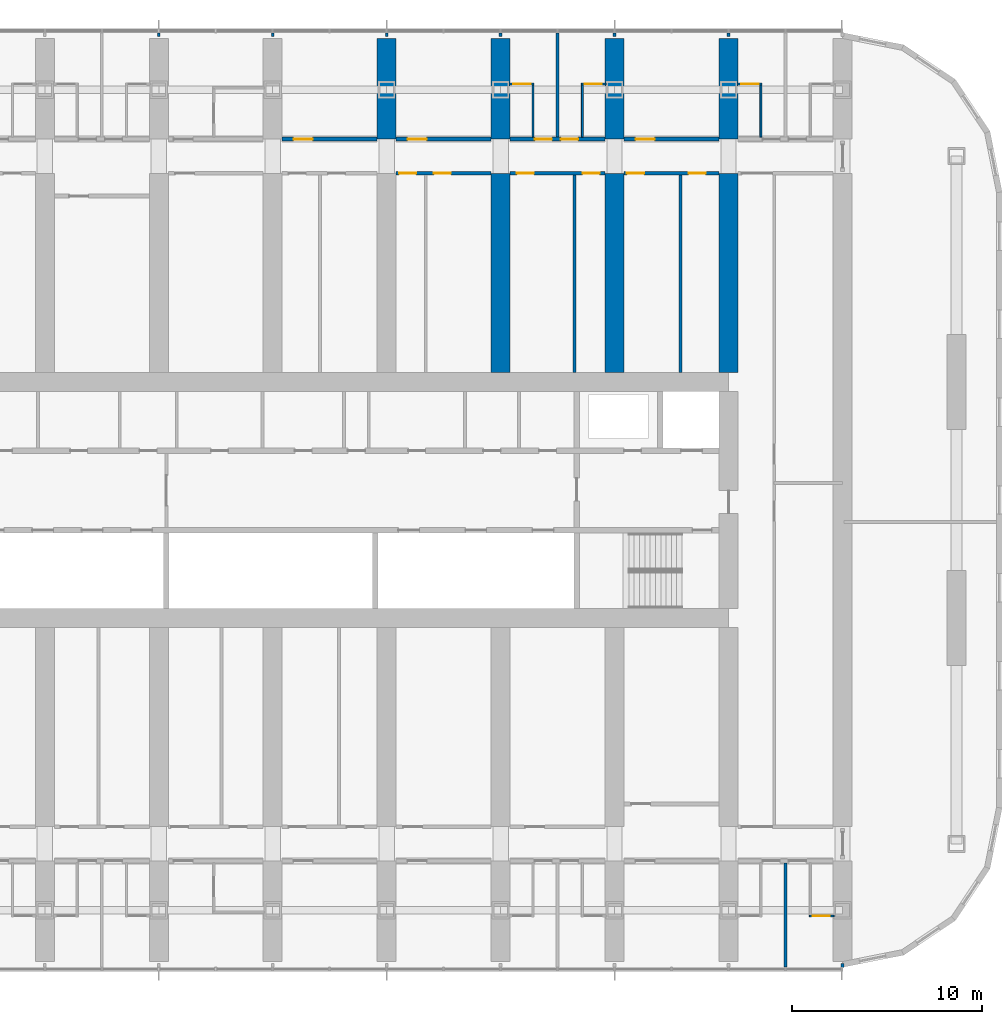
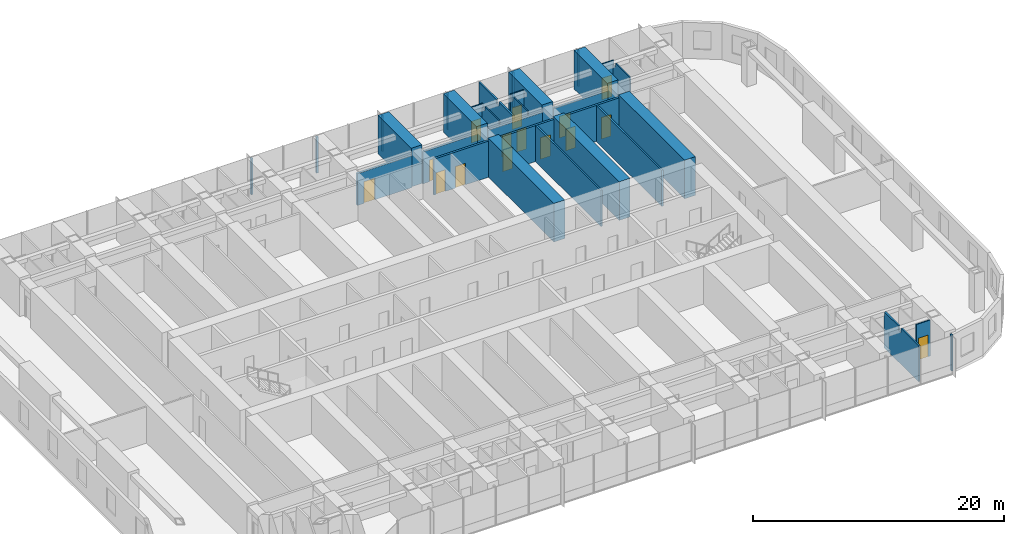
# One storey, part 16 of 23: 32 walls, 15 doors, 15 openings.
"""IFC4 building model written with IfcOpenShell, lengths in metres."""

from ifc_helpers import new_model, si_unit, direction, frame, frame_2d, origin, place, context, subcontext, project, spatial, polyline, rectangle, outline, extrude, material, layer, layer_set, type_object, element, fill, save


model = new_model("IFC4")

# Units and contexts
model_context = context("Model", 3, precision=1e-05, world=origin(), true_north=direction((0.0, 1.0)))
body_context = subcontext(model_context, "Body", "Model", "MODEL_VIEW")
ifc_project = project(units=[si_unit("LENGTHUNIT", "METRE"), si_unit("AREAUNIT", "SQUARE_METRE"), si_unit("VOLUMEUNIT", "CUBIC_METRE"), si_unit("PLANEANGLEUNIT", "RADIAN"), si_unit("MASSUNIT", "GRAM", prefix="KILO")], contexts=[model_context])

# Site, building, storey
site_placement = place(None, origin())
site = spatial("IfcSite", under=ifc_project, at=site_placement, CompositionType="ELEMENT")
building_placement = place(site_placement, origin())
building = spatial("IfcBuilding", under=site, at=building_placement, Name="Orbita Commons", CompositionType="ELEMENT")
storey_placement = place(building_placement, frame((0.0, 0.0, 46.449951171875)))
storey = spatial("IfcBuildingStorey", under=building, at=storey_placement, Name="L11", CompositionType="ELEMENT", Elevation=46.449951171875)

# Wall, opening, door
ifc_material_1 = material(Name="Concrete blockwork", Category="masonry")
ifc_layer_1 = layer(ifc_material_1, 0.199951171875)
ifc_layer_set_1 = layer_set([ifc_layer_1], Name="Concrete blockwork")
wall_type_1 = type_object("IfcWallType", Name="Corridor wall 200 blockwork", PredefinedType="SOLIDWALL", material=ifc_layer_set_1)
wall_1_placement = place(storey_placement, frame((42.5, 51.0, 0.0), z_axis=(0.0, 0.0, 1.0), x_axis=(1.0, 0.0, 0.0)))
wall_1 = element("IfcWall", 1, at=wall_1_placement, inside=storey, type_object=wall_type_1, Name="Corridor wall 200 blockwork L11", PredefinedType="SOLIDWALL", context=body_context, shape_type="SweptSolid", body=[
    extrude(outline(polyline([(0.0, 0.0), (5.0, 0.0), (5.0, 3.10009765625), (0.0, 3.10009765625), (0.0, 0.0)])), frame((0.0, 0.10009765625, 0.0), z_axis=(0.0, -1.0, 0.0), x_axis=(1.0, 0.0, 0.0)), (0.0, 0.0, 1.0), 0.199951171875),
])
opening_1_placement = place(wall_1_placement, frame((0.60009765625, 0.0, 0.0)))
opening_1 = element("IfcOpeningElement", 2, at=opening_1_placement, cuts=wall_1, Name="Opening D06", PredefinedType="OPENING", context=body_context, shape_type="SweptSolid", body=[
    extrude(rectangle(XDim=1.0, YDim=2.10009765625, at=frame_2d((0.5, 1.050048828125))), frame((0.0, 0.10986328125, 0.0), z_axis=(0.0, -1.0, 0.0), x_axis=(1.0, 0.0, 0.0)), (0.0, 0.0, 1.0), 0.219970703125),
])
ifc_material_2 = material(Name="Steel-faced fire door leaf", Category="steel")
door_type_1 = type_object("IfcDoorType", Name="Corridor door 20 min 1000x2100", OperationType="SINGLE_SWING_LEFT", PredefinedType="DOOR", material=ifc_material_2)
door_1_placement = place(opening_1_placement, origin())
door_1 = element("IfcDoor", 3, at=door_1_placement, inside=storey, type_object=door_type_1, Name="House common room L11-N10 door", OperationType="SINGLE_SWING_LEFT", OverallHeight=2.10009765625, OverallWidth=1.0, PredefinedType="DOOR", context=body_context, shape_type="SweptSolid", body=[
    extrude(rectangle(XDim=1.0, YDim=2.10009765625, at=frame_2d((0.5, 1.050048828125))), frame((0.0, 0.02490234375, 0.0), z_axis=(0.0, -1.0, 0.0), x_axis=(1.0, 0.0, 0.0)), (0.0, 0.0, 1.0), 0.050048828125),
])
fill(opening_1, door_1)

wall_2_placement = place(storey_placement, frame((48.5, 51.0, 0.0), z_axis=(0.0, 0.0, 1.0), x_axis=(1.0, 0.0, 0.0)))
wall_2 = element("IfcWall", 4, at=wall_2_placement, inside=storey, type_object=wall_type_1, Name="Corridor wall 200 blockwork L11", PredefinedType="SOLIDWALL", context=body_context, shape_type="SweptSolid", body=[
    extrude(outline(polyline([(0.0, 0.0), (5.0, 0.0), (5.0, 3.10009765625), (0.0, 3.10009765625), (0.0, 0.0)])), frame((0.0, 0.10009765625, 0.0), z_axis=(0.0, -1.0, 0.0), x_axis=(1.0, 0.0, 0.0)), (0.0, 0.0, 1.0), 0.199951171875),
])
opening_2_placement = place(wall_2_placement, frame((0.60009765625, 0.0, 0.0)))
opening_2 = element("IfcOpeningElement", 5, at=opening_2_placement, cuts=wall_2, Name="Opening D06", PredefinedType="OPENING", context=body_context, shape_type="SweptSolid", body=[
    extrude(rectangle(XDim=1.0, YDim=2.10009765625, at=frame_2d((0.5, 1.050048828125))), frame((0.0, 0.10986328125, 0.0), z_axis=(0.0, -1.0, 0.0), x_axis=(1.0, 0.0, 0.0)), (0.0, 0.0, 1.0), 0.219970703125),
])
door_2_placement = place(opening_2_placement, origin())
door_2 = element("IfcDoor", 6, at=door_2_placement, inside=storey, type_object=door_type_1, Name="House kitchen-diner L11-N12 door", OperationType="SINGLE_SWING_LEFT", OverallHeight=2.10009765625, OverallWidth=1.0, PredefinedType="DOOR", context=body_context, shape_type="SweptSolid", body=[
    extrude(rectangle(XDim=1.0, YDim=2.10009765625, at=frame_2d((0.5, 1.050048828125))), frame((0.0, 0.02490234375, 0.0), z_axis=(0.0, -1.0, 0.0), x_axis=(1.0, 0.0, 0.0)), (0.0, 0.0, 1.0), 0.050048828125),
])
fill(opening_2, door_2)

# Wall, openings, doors
wall_3_placement = place(storey_placement, frame((54.5, 51.0, 0.0), z_axis=(0.0, 0.0, 1.0), x_axis=(1.0, 0.0, 0.0)))
wall_3 = element("IfcWall", 7, at=wall_3_placement, inside=storey, type_object=wall_type_1, Name="Corridor wall 200 blockwork L11", PredefinedType="SOLIDWALL", context=body_context, shape_type="SweptSolid", body=[
    extrude(outline(polyline([(0.0, 0.0), (5.0, 0.0), (5.0, 3.10009765625), (0.0, 3.10009765625), (0.0, 0.0)])), frame((0.0, 0.10009765625, 0.0), z_axis=(0.0, -1.0, 0.0), x_axis=(1.0, 0.0, 0.0)), (0.0, 0.0, 1.0), 0.199951171875),
])
opening_3_placement = place(wall_3_placement, frame((1.300048828125, 0.0, 0.0)))
opening_3 = element("IfcOpeningElement", 8, at=opening_3_placement, cuts=wall_3, Name="Opening D11", PredefinedType="OPENING", context=body_context, shape_type="SweptSolid", body=[
    extrude(rectangle(XDim=0.89990234375, YDim=2.10009765625, at=frame_2d((0.449951171875, 1.050048828125))), frame((0.0, 0.10986328125, 0.0), z_axis=(0.0, -1.0, 0.0), x_axis=(1.0, 0.0, 0.0)), (0.0, 0.0, 1.0), 0.219970703125),
])
opening_4_placement = place(wall_3_placement, frame((2.675048828125, 0.0, 0.0)))
opening_4 = element("IfcOpeningElement", 9, at=opening_4_placement, cuts=wall_3, Name="Opening D11", PredefinedType="OPENING", context=body_context, shape_type="SweptSolid", body=[
    extrude(rectangle(XDim=0.89990234375, YDim=2.10009765625, at=frame_2d((0.449951171875, 1.050048828125))), frame((0.0, 0.10986328125, 0.0), z_axis=(0.0, -1.0, 0.0), x_axis=(1.0, 0.0, 0.0)), (0.0, 0.0, 1.0), 0.219970703125),
])
ifc_material_3 = material(Name="Steel-faced fire door leaf", Category="steel")
door_type_2 = type_object("IfcDoorType", Name="Corridor door 20 min 900x2100", OperationType="SINGLE_SWING_LEFT", PredefinedType="DOOR", material=ifc_material_3)
door_3_placement = place(opening_3_placement, origin())
door_3 = element("IfcDoor", 10, at=door_3_placement, inside=storey, type_object=door_type_2, Name="House bedroom L11-N14 door", OperationType="SINGLE_SWING_LEFT", OverallHeight=2.10009765625, OverallWidth=0.89990234375, PredefinedType="DOOR", context=body_context, shape_type="SweptSolid", body=[
    extrude(rectangle(XDim=0.89990234375, YDim=2.10009765625, at=frame_2d((0.449951171875, 1.050048828125))), frame((0.0, 0.02490234375, 0.0), z_axis=(0.0, -1.0, 0.0), x_axis=(1.0, 0.0, 0.0)), (0.0, 0.0, 1.0), 0.050048828125),
])
fill(opening_3, door_3)
door_4_placement = place(opening_4_placement, origin())
door_4 = element("IfcDoor", 11, at=door_4_placement, inside=storey, type_object=door_type_2, Name="House bedroom L11-N15 door", OperationType="SINGLE_SWING_LEFT", OverallHeight=2.10009765625, OverallWidth=0.89990234375, PredefinedType="DOOR", context=body_context, shape_type="SweptSolid", body=[
    extrude(rectangle(XDim=0.89990234375, YDim=2.10009765625, at=frame_2d((0.449951171875, 1.050048828125))), frame((0.0, 0.02490234375, 0.0), z_axis=(0.0, -1.0, 0.0), x_axis=(1.0, 0.0, 0.0)), (0.0, 0.0, 1.0), 0.050048828125),
])
fill(opening_4, door_4)

# Wall, opening, door
wall_4_placement = place(storey_placement, frame((60.5, 51.0, 0.0), z_axis=(0.0, 0.0, 1.0), x_axis=(1.0, 0.0, 0.0)))
wall_4 = element("IfcWall", 12, at=wall_4_placement, inside=storey, type_object=wall_type_1, Name="Corridor wall 200 blockwork L11", PredefinedType="SOLIDWALL", context=body_context, shape_type="SweptSolid", body=[
    extrude(outline(polyline([(0.0, 0.0), (5.0, 0.0), (5.0, 3.10009765625), (0.0, 3.10009765625), (0.0, 0.0)])), frame((0.0, 0.10009765625, 0.0), z_axis=(0.0, -1.0, 0.0), x_axis=(1.0, 0.0, 0.0)), (0.0, 0.0, 1.0), 0.199951171875),
])
opening_5_placement = place(wall_4_placement, frame((0.60009765625, 0.0, 0.0)))
opening_5 = element("IfcOpeningElement", 13, at=opening_5_placement, cuts=wall_4, Name="Opening D06", PredefinedType="OPENING", context=body_context, shape_type="SweptSolid", body=[
    extrude(rectangle(XDim=1.0, YDim=2.10009765625, at=frame_2d((0.5, 1.050048828125))), frame((0.0, 0.10986328125, 0.0), z_axis=(0.0, -1.0, 0.0), x_axis=(1.0, 0.0, 0.0)), (0.0, 0.0, 1.0), 0.219970703125),
])
door_5_placement = place(opening_5_placement, origin())
door_5 = element("IfcDoor", 14, at=door_5_placement, inside=storey, type_object=door_type_1, Name="House study room L11-N16 door", OperationType="SINGLE_SWING_LEFT", OverallHeight=2.10009765625, OverallWidth=1.0, PredefinedType="DOOR", context=body_context, shape_type="SweptSolid", body=[
    extrude(rectangle(XDim=1.0, YDim=2.10009765625, at=frame_2d((0.5, 1.050048828125))), frame((0.0, 0.02490234375, 0.0), z_axis=(0.0, -1.0, 0.0), x_axis=(1.0, 0.0, 0.0)), (0.0, 0.0, 1.0), 0.050048828125),
])
fill(opening_5, door_5)

# Wall, openings, doors
ifc_material_4 = material(Name="Hollow concrete block 200", Category="concrete")
ifc_layer_2 = layer(ifc_material_4, 0.199951171875)
ifc_layer_set_2 = layer_set([ifc_layer_2], Name="Hollow concrete block 200")
wall_type_2 = type_object("IfcWallType", Name="Corridor wall 200 hollow concrete block", PredefinedType="SOLIDWALL", material=ifc_layer_set_2)
wall_5_placement = place(storey_placement, frame((48.5, 49.199951171875, 0.0), z_axis=(0.0, 0.0, 1.0), x_axis=(1.0, 0.0, 0.0)))
wall_5 = element("IfcWall", 15, at=wall_5_placement, inside=storey, type_object=wall_type_2, Name="Corridor wall 200 hollow concrete block L11", PredefinedType="SOLIDWALL", context=body_context, shape_type="SweptSolid", body=[
    extrude(rectangle(XDim=5.0, YDim=0.199951171875, at=frame_2d((2.5, 0.0))), origin(), (0.0, 0.0, 1.0), 3.5),
])
opening_6_placement = place(wall_5_placement, frame((0.14990234375, 0.0, 0.0)))
opening_6 = element("IfcOpeningElement", 16, at=opening_6_placement, cuts=wall_5, Name="Opening D11", PredefinedType="OPENING", context=body_context, shape_type="SweptSolid", body=[
    extrude(rectangle(XDim=0.89990234375, YDim=2.10009765625, at=frame_2d((0.449951171875, 1.050048828125))), frame((0.0, 0.10986328125, 0.0), z_axis=(0.0, -1.0, 0.0), x_axis=(1.0, 0.0, 0.0)), (0.0, 0.0, 1.0), 0.219970703125),
])
opening_7_placement = place(wall_5_placement, frame((1.97998046875, 0.0, 0.0)))
opening_7 = element("IfcOpeningElement", 17, at=opening_7_placement, cuts=wall_5, Name="Opening D11", PredefinedType="OPENING", context=body_context, shape_type="SweptSolid", body=[
    extrude(rectangle(XDim=0.89990234375, YDim=2.10009765625, at=frame_2d((0.449951171875, 1.050048828125))), frame((0.0, 0.10986328125, 0.0), z_axis=(0.0, -1.0, 0.0), x_axis=(1.0, 0.0, 0.0)), (0.0, 0.0, 1.0), 0.219970703125),
])
door_6_placement = place(opening_6_placement, origin())
door_6 = element("IfcDoor", 18, at=door_6_placement, inside=storey, type_object=door_type_2, Name="Riser access cupboard L11-BDN48n door", OperationType="SINGLE_SWING_LEFT", OverallHeight=2.10009765625, OverallWidth=0.89990234375, PredefinedType="DOOR", context=body_context, shape_type="SweptSolid", body=[
    extrude(rectangle(XDim=0.89990234375, YDim=2.10009765625, at=frame_2d((0.449951171875, 1.050048828125))), frame((0.0, 0.02490234375, 0.0), z_axis=(0.0, -1.0, 0.0), x_axis=(1.0, 0.0, 0.0)), (0.0, 0.0, 1.0), 0.050048828125),
])
fill(opening_6, door_6)
door_7_placement = place(opening_7_placement, origin())
door_7 = element("IfcDoor", 19, at=door_7_placement, inside=storey, type_object=door_type_2, Name="House pantry L11-BDN48 door", OperationType="SINGLE_SWING_LEFT", OverallHeight=2.10009765625, OverallWidth=0.89990234375, PredefinedType="DOOR", context=body_context, shape_type="SweptSolid", body=[
    extrude(rectangle(XDim=0.89990234375, YDim=2.10009765625, at=frame_2d((0.449951171875, 1.050048828125))), frame((0.0, 0.02490234375, 0.0), z_axis=(0.0, -1.0, 0.0), x_axis=(1.0, 0.0, 0.0)), (0.0, 0.0, 1.0), 0.050048828125),
])
fill(opening_7, door_7)

wall_6_placement = place(storey_placement, frame((54.5, 49.199951171875, 0.0), z_axis=(0.0, 0.0, 1.0), x_axis=(1.0, 0.0, 0.0)))
wall_6 = element("IfcWall", 20, at=wall_6_placement, inside=storey, type_object=wall_type_2, Name="Corridor wall 200 hollow concrete block L11", PredefinedType="SOLIDWALL", context=body_context, shape_type="SweptSolid", body=[
    extrude(rectangle(XDim=5.0, YDim=0.199951171875, at=frame_2d((2.5, 0.0))), origin(), (0.0, 0.0, 1.0), 3.5),
])
opening_8_placement = place(wall_6_placement, frame((0.35009765625, 0.0, 0.0)))
opening_8 = element("IfcOpeningElement", 21, at=opening_8_placement, cuts=wall_6, Name="Opening D11", PredefinedType="OPENING", context=body_context, shape_type="SweptSolid", body=[
    extrude(rectangle(XDim=0.89990234375, YDim=2.10009765625, at=frame_2d((0.449951171875, 1.050048828125))), frame((0.0, 0.10986328125, 0.0), z_axis=(0.0, -1.0, 0.0), x_axis=(1.0, 0.0, 0.0)), (0.0, 0.0, 1.0), 0.219970703125),
])
opening_9_placement = place(wall_6_placement, frame((3.81005859375, 0.0, 0.0)))
opening_9 = element("IfcOpeningElement", 22, at=opening_9_placement, cuts=wall_6, Name="Opening D11", PredefinedType="OPENING", context=body_context, shape_type="SweptSolid", body=[
    extrude(rectangle(XDim=0.89990234375, YDim=2.10009765625, at=frame_2d((0.449951171875, 1.050048828125))), frame((0.0, 0.10986328125, 0.0), z_axis=(0.0, -1.0, 0.0), x_axis=(1.0, 0.0, 0.0)), (0.0, 0.0, 1.0), 0.219970703125),
])
door_8_placement = place(opening_8_placement, origin())
door_8 = element("IfcDoor", 23, at=door_8_placement, inside=storey, type_object=door_type_2, Name="Parcel and post room L11-BDN54 door", OperationType="SINGLE_SWING_LEFT", OverallHeight=2.10009765625, OverallWidth=0.89990234375, PredefinedType="DOOR", context=body_context, shape_type="SweptSolid", body=[
    extrude(rectangle(XDim=0.89990234375, YDim=2.10009765625, at=frame_2d((0.449951171875, 1.050048828125))), frame((0.0, 0.02490234375, 0.0), z_axis=(0.0, -1.0, 0.0), x_axis=(1.0, 0.0, 0.0)), (0.0, 0.0, 1.0), 0.050048828125),
])
fill(opening_8, door_8)
door_9_placement = place(opening_9_placement, origin())
door_9 = element("IfcDoor", 24, at=door_9_placement, inside=storey, type_object=door_type_2, Name="Water heater cupboard L11-BDN54n door", OperationType="SINGLE_SWING_LEFT", OverallHeight=2.10009765625, OverallWidth=0.89990234375, PredefinedType="DOOR", context=body_context, shape_type="SweptSolid", body=[
    extrude(rectangle(XDim=0.89990234375, YDim=2.10009765625, at=frame_2d((0.449951171875, 1.050048828125))), frame((0.0, 0.02490234375, 0.0), z_axis=(0.0, -1.0, 0.0), x_axis=(1.0, 0.0, 0.0)), (0.0, 0.0, 1.0), 0.050048828125),
])
fill(opening_9, door_9)

wall_7_placement = place(storey_placement, frame((60.5, 49.199951171875, 0.0), z_axis=(0.0, 0.0, 1.0), x_axis=(1.0, 0.0, 0.0)))
wall_7 = element("IfcWall", 25, at=wall_7_placement, inside=storey, type_object=wall_type_2, Name="Corridor wall 200 hollow concrete block L11", PredefinedType="SOLIDWALL", context=body_context, shape_type="SweptSolid", body=[
    extrude(rectangle(XDim=5.0, YDim=0.199951171875, at=frame_2d((2.5, 0.0))), origin(), (0.0, 0.0, 1.0), 3.5),
])
opening_10_placement = place(wall_7_placement, frame((0.14990234375, 0.0, 0.0)))
opening_10 = element("IfcOpeningElement", 26, at=opening_10_placement, cuts=wall_7, Name="Opening D11", PredefinedType="OPENING", context=body_context, shape_type="SweptSolid", body=[
    extrude(rectangle(XDim=0.89990234375, YDim=2.10009765625, at=frame_2d((0.449951171875, 1.050048828125))), frame((0.0, 0.10986328125, 0.0), z_axis=(0.0, -1.0, 0.0), x_axis=(1.0, 0.0, 0.0)), (0.0, 0.0, 1.0), 0.219970703125),
])
opening_11_placement = place(wall_7_placement, frame((3.39501953125, 0.0, 0.0)))
opening_11 = element("IfcOpeningElement", 27, at=opening_11_placement, cuts=wall_7, Name="Opening D11", PredefinedType="OPENING", context=body_context, shape_type="SweptSolid", body=[
    extrude(rectangle(XDim=0.89990234375, YDim=2.10009765625, at=frame_2d((0.449951171875, 1.050048828125))), frame((0.0, 0.10986328125, 0.0), z_axis=(0.0, -1.0, 0.0), x_axis=(1.0, 0.0, 0.0)), (0.0, 0.0, 1.0), 0.219970703125),
])
door_10_placement = place(opening_10_placement, origin())
door_10 = element("IfcDoor", 28, at=door_10_placement, inside=storey, type_object=door_type_2, Name="Cleaners store L11-BDN60 door", OperationType="SINGLE_SWING_LEFT", OverallHeight=2.10009765625, OverallWidth=0.89990234375, PredefinedType="DOOR", context=body_context, shape_type="SweptSolid", body=[
    extrude(rectangle(XDim=0.89990234375, YDim=2.10009765625, at=frame_2d((0.449951171875, 1.050048828125))), frame((0.0, 0.02490234375, 0.0), z_axis=(0.0, -1.0, 0.0), x_axis=(1.0, 0.0, 0.0)), (0.0, 0.0, 1.0), 0.050048828125),
])
fill(opening_10, door_10)
door_11_placement = place(opening_11_placement, origin())
door_11 = element("IfcDoor", 29, at=door_11_placement, inside=storey, type_object=door_type_2, Name="Battery and UPS room L11-BDN60n door", OperationType="SINGLE_SWING_LEFT", OverallHeight=2.10009765625, OverallWidth=0.89990234375, PredefinedType="DOOR", context=body_context, shape_type="SweptSolid", body=[
    extrude(rectangle(XDim=0.89990234375, YDim=2.10009765625, at=frame_2d((0.449951171875, 1.050048828125))), frame((0.0, 0.02490234375, 0.0), z_axis=(0.0, -1.0, 0.0), x_axis=(1.0, 0.0, 0.0)), (0.0, 0.0, 1.0), 0.050048828125),
])
fill(opening_11, door_11)

# Walls
ifc_material_5 = material(Name="Concrete C50/60", Category="concrete")
ifc_layer_3 = layer(ifc_material_5, 1.0)
ifc_layer_set_3 = layer_set([ifc_layer_3], Name="Concrete C50/60")
wall_type_3 = type_object("IfcWallType", Name="Cross wall 1000 C50/60", PredefinedType="SHEAR", material=ifc_layer_set_3)
for number, where, z_axis, x_axis, name in (
    (30, (48.0, 51.0, 0.0), (0.0, 0.0, 1.0), (0.0, 1.0, 0.0), "Cross wall 9 north outer L11"),
    (31, (54.0, 51.0, 0.0), (0.0, 0.0, 1.0), (0.0, 1.0, 0.0), "Cross wall 10 north outer L11"),
):
    element("IfcWall", number, at=place(storey_placement, frame(where, z_axis=z_axis, x_axis=x_axis)), inside=storey, type_object=wall_type_3, Name=name, PredefinedType="SHEAR", context=body_context, shape_type="SweptSolid", body=[
        extrude(rectangle(XDim=5.300048828125, YDim=1.0, at=frame_2d((2.64990234375, 0.0))), origin(), (0.0, 0.0, 1.0), 3.75),
    ])
wall_8_placement = place(storey_placement, frame((54.0, 38.699951171875, 0.0), z_axis=(0.0, 0.0, 1.0), x_axis=(0.0, 1.0, 0.0)))
element("IfcWall", 32, at=wall_8_placement, inside=storey, type_object=wall_type_3, Name="Cross wall 10 north inner L11", PredefinedType="SHEAR", context=body_context, shape_type="SweptSolid", body=[
    extrude(rectangle(XDim=10.5, YDim=1.0, at=frame_2d((5.25, 0.0))), origin(), (0.0, 0.0, 1.0), 3.75),
])
wall_9_placement = place(storey_placement, frame((60.0, 51.0, 0.0), z_axis=(0.0, 0.0, 1.0), x_axis=(0.0, 1.0, 0.0)))
element("IfcWall", 33, at=wall_9_placement, inside=storey, type_object=wall_type_3, Name="Cross wall 11 north outer L11", PredefinedType="SHEAR", context=body_context, shape_type="SweptSolid", body=[
    extrude(rectangle(XDim=5.300048828125, YDim=1.0, at=frame_2d((2.64990234375, 0.0))), origin(), (0.0, 0.0, 1.0), 3.75),
])
wall_10_placement = place(storey_placement, frame((60.0, 38.699951171875, 0.0), z_axis=(0.0, 0.0, 1.0), x_axis=(0.0, 1.0, 0.0)))
element("IfcWall", 34, at=wall_10_placement, inside=storey, type_object=wall_type_3, Name="Cross wall 11 north inner L11", PredefinedType="SHEAR", context=body_context, shape_type="SweptSolid", body=[
    extrude(rectangle(XDim=10.5, YDim=1.0, at=frame_2d((5.25, 0.0))), origin(), (0.0, 0.0, 1.0), 3.75),
])
wall_11_placement = place(storey_placement, frame((66.0, 51.0, 0.0), z_axis=(0.0, 0.0, 1.0), x_axis=(0.0, 1.0, 0.0)))
element("IfcWall", 35, at=wall_11_placement, inside=storey, type_object=wall_type_3, Name="Cross wall 12 north outer L11", PredefinedType="SHEAR", context=body_context, shape_type="SweptSolid", body=[
    extrude(rectangle(XDim=5.300048828125, YDim=1.0, at=frame_2d((2.64990234375, 0.0))), origin(), (0.0, 0.0, 1.0), 3.75),
])
wall_12_placement = place(storey_placement, frame((66.0, 38.699951171875, 0.0), z_axis=(0.0, 0.0, 1.0), x_axis=(0.0, 1.0, 0.0)))
element("IfcWall", 36, at=wall_12_placement, inside=storey, type_object=wall_type_3, Name="Cross wall 12 north inner L11", PredefinedType="SHEAR", context=body_context, shape_type="SweptSolid", body=[
    extrude(rectangle(XDim=10.5, YDim=1.0, at=frame_2d((5.25, 0.0))), origin(), (0.0, 0.0, 1.0), 3.75),
])

# Wall, opening, door
ifc_material_6 = material(Name="Moisture-resistant plasterboard on steel studs", Category="steel")
ifc_layer_4 = layer(ifc_material_6, 0.10009765625)
ifc_layer_set_4 = layer_set([ifc_layer_4], Name="Moisture-resistant plasterboard on steel studs")
wall_type_4 = type_object("IfcWallType", Name="En-suite partition 100", PredefinedType="PARTITIONING", material=ifc_layer_set_4)
wall_13_placement = place(storey_placement, frame((71.550048828125, 10.10009765625, 0.0), z_axis=(0.0, 0.0, 1.0), x_axis=(-1.0, 0.0, 0.0)))
wall_13 = element("IfcWall", 37, at=wall_13_placement, inside=storey, type_object=wall_type_4, Name="En-suite partition 100 L11", PredefinedType="PARTITIONING", context=body_context, shape_type="SweptSolid", body=[
    extrude(rectangle(XDim=1.300048828125, YDim=0.10009765625, at=frame_2d((0.64990234375, 0.0))), origin(), (0.0, 0.0, 1.0), 3.5),
])
opening_12_placement = place(wall_13_placement, frame((0.22509765625, 0.0, 0.0)))
opening_12 = element("IfcOpeningElement", 38, at=opening_12_placement, cuts=wall_13, Name="Opening D09", PredefinedType="OPENING", context=body_context, shape_type="SweptSolid", body=[
    extrude(rectangle(XDim=0.89990234375, YDim=2.10009765625, at=frame_2d((0.449951171875, 1.050048828125))), frame((0.0, 0.06005859375, 0.0), z_axis=(0.0, -1.0, 0.0), x_axis=(1.0, 0.0, 0.0)), (0.0, 0.0, 1.0), 0.1201171875),
])
ifc_material_7 = material(Name="Laminated timber door leaf", Category="wood")
door_type_3 = type_object("IfcDoorType", Name="En-suite door 900x2100", OperationType="SINGLE_SWING_RIGHT", PredefinedType="DOOR", material=ifc_material_7)
door_12_placement = place(opening_12_placement, origin())
door_12 = element("IfcDoor", 39, at=door_12_placement, inside=storey, type_object=door_type_3, Name="En-suite L11-S19 door", OperationType="SINGLE_SWING_RIGHT", OverallHeight=2.10009765625, OverallWidth=0.89990234375, PredefinedType="DOOR", context=body_context, shape_type="SweptSolid", body=[
    extrude(rectangle(XDim=0.89990234375, YDim=2.10009765625, at=frame_2d((0.449951171875, 1.050048828125))), frame((0.0, 0.02490234375, 0.0), z_axis=(0.0, -1.0, 0.0), x_axis=(1.0, 0.0, 0.0)), (0.0, 0.0, 1.0), 0.050048828125),
])
fill(opening_12, door_12)

wall_14_placement = place(storey_placement, frame((54.449951171875, 53.89990234375, 0.0), z_axis=(0.0, 0.0, 1.0), x_axis=(1.0, 0.0, 0.0)))
wall_14 = element("IfcWall", 40, at=wall_14_placement, inside=storey, type_object=wall_type_4, Name="En-suite partition 100 L11", PredefinedType="PARTITIONING", context=body_context, shape_type="SweptSolid", body=[
    extrude(rectangle(XDim=1.300048828125, YDim=0.10009765625, at=frame_2d((0.64990234375, 0.0))), origin(), (0.0, 0.0, 1.0), 3.5),
])
opening_13_placement = place(wall_14_placement, frame((0.22509765625, 0.0, 0.0)))
opening_13 = element("IfcOpeningElement", 41, at=opening_13_placement, cuts=wall_14, Name="Opening D09", PredefinedType="OPENING", context=body_context, shape_type="SweptSolid", body=[
    extrude(rectangle(XDim=0.89990234375, YDim=2.10009765625, at=frame_2d((0.449951171875, 1.050048828125))), frame((0.0, 0.06005859375, 0.0), z_axis=(0.0, -1.0, 0.0), x_axis=(1.0, 0.0, 0.0)), (0.0, 0.0, 1.0), 0.1201171875),
])
door_13_placement = place(opening_13_placement, origin())
door_13 = element("IfcDoor", 42, at=door_13_placement, inside=storey, type_object=door_type_3, Name="En-suite L11-N14 door", OperationType="SINGLE_SWING_RIGHT", OverallHeight=2.10009765625, OverallWidth=0.89990234375, PredefinedType="DOOR", context=body_context, shape_type="SweptSolid", body=[
    extrude(rectangle(XDim=0.89990234375, YDim=2.10009765625, at=frame_2d((0.449951171875, 1.050048828125))), frame((0.0, 0.02490234375, 0.0), z_axis=(0.0, -1.0, 0.0), x_axis=(1.0, 0.0, 0.0)), (0.0, 0.0, 1.0), 0.050048828125),
])
fill(opening_13, door_13)

# Wall
wall_15_placement = place(storey_placement, frame((55.699951171875, 53.85009765625, 0.0), z_axis=(0.0, 0.0, 1.0), x_axis=(0.0, -1.0, 0.0)))
element("IfcWall", 43, at=wall_15_placement, inside=storey, type_object=wall_type_4, Name="En-suite partition 100 L11", PredefinedType="PARTITIONING", context=body_context, shape_type="SweptSolid", body=[
    extrude(outline(polyline([(0.0, 0.0), (2.75, 0.0), (2.75, 3.10009765625), (2.701904296875, 3.10009765625), (2.699951171875, 3.5), (0.451904296875, 3.5), (0.449951171875, 3.10009765625), (0.0, 3.10009765625), (0.0, 0.0)])), frame((0.0, 0.050048828125, 0.0), z_axis=(0.0, -1.0, 0.0), x_axis=(1.0, 0.0, 0.0)), (0.0, 0.0, 1.0), 0.10009765625),
])

# Wall, opening, door
wall_16_placement = place(storey_placement, frame((58.25, 53.89990234375, 0.0), z_axis=(0.0, 0.0, 1.0), x_axis=(1.0, 0.0, 0.0)))
wall_16 = element("IfcWall", 44, at=wall_16_placement, inside=storey, type_object=wall_type_4, Name="En-suite partition 100 L11", PredefinedType="PARTITIONING", context=body_context, shape_type="SweptSolid", body=[
    extrude(rectangle(XDim=1.300048828125, YDim=0.10009765625, at=frame_2d((0.64990234375, 0.0))), origin(), (0.0, 0.0, 1.0), 3.5),
])
opening_14_placement = place(wall_16_placement, frame((0.175048828125, 0.0, 0.0)))
opening_14 = element("IfcOpeningElement", 45, at=opening_14_placement, cuts=wall_16, Name="Opening D09", PredefinedType="OPENING", context=body_context, shape_type="SweptSolid", body=[
    extrude(rectangle(XDim=0.89990234375, YDim=2.10009765625, at=frame_2d((0.449951171875, 1.050048828125))), frame((0.0, 0.06005859375, 0.0), z_axis=(0.0, -1.0, 0.0), x_axis=(1.0, 0.0, 0.0)), (0.0, 0.0, 1.0), 0.1201171875),
])
door_14_placement = place(opening_14_placement, origin())
door_14 = element("IfcDoor", 46, at=door_14_placement, inside=storey, type_object=door_type_3, Name="En-suite L11-N15 door", OperationType="SINGLE_SWING_RIGHT", OverallHeight=2.10009765625, OverallWidth=0.89990234375, PredefinedType="DOOR", context=body_context, shape_type="SweptSolid", body=[
    extrude(rectangle(XDim=0.89990234375, YDim=2.10009765625, at=frame_2d((0.449951171875, 1.050048828125))), frame((0.0, 0.02490234375, 0.0), z_axis=(0.0, -1.0, 0.0), x_axis=(1.0, 0.0, 0.0)), (0.0, 0.0, 1.0), 0.050048828125),
])
fill(opening_14, door_14)

# Wall
wall_17_placement = place(storey_placement, frame((58.300048828125, 53.85009765625, 0.0), z_axis=(0.0, 0.0, 1.0), x_axis=(0.0, -1.0, 0.0)))
element("IfcWall", 47, at=wall_17_placement, inside=storey, type_object=wall_type_4, Name="En-suite partition 100 L11", PredefinedType="PARTITIONING", context=body_context, shape_type="SweptSolid", body=[
    extrude(outline(polyline([(0.0, 0.0), (2.75, 0.0), (2.75, 3.10009765625), (2.701904296875, 3.10009765625), (2.699951171875, 3.5), (0.451904296875, 3.5), (0.449951171875, 3.10009765625), (0.0, 3.10009765625), (0.0, 0.0)])), frame((0.0, 0.050048828125, 0.0), z_axis=(0.0, -1.0, 0.0), x_axis=(1.0, 0.0, 0.0)), (0.0, 0.0, 1.0), 0.10009765625),
])

# Wall, opening, door
wall_18_placement = place(storey_placement, frame((66.449951171875, 53.89990234375, 0.0), z_axis=(0.0, 0.0, 1.0), x_axis=(1.0, 0.0, 0.0)))
wall_18 = element("IfcWall", 48, at=wall_18_placement, inside=storey, type_object=wall_type_4, Name="En-suite partition 100 L11", PredefinedType="PARTITIONING", context=body_context, shape_type="SweptSolid", body=[
    extrude(rectangle(XDim=1.300048828125, YDim=0.10009765625, at=frame_2d((0.64990234375, 0.0))), origin(), (0.0, 0.0, 1.0), 3.5),
])
opening_15_placement = place(wall_18_placement, frame((0.22509765625, 0.0, 0.0)))
opening_15 = element("IfcOpeningElement", 49, at=opening_15_placement, cuts=wall_18, Name="Opening D09", PredefinedType="OPENING", context=body_context, shape_type="SweptSolid", body=[
    extrude(rectangle(XDim=0.89990234375, YDim=2.10009765625, at=frame_2d((0.449951171875, 1.050048828125))), frame((0.0, 0.06005859375, 0.0), z_axis=(0.0, -1.0, 0.0), x_axis=(1.0, 0.0, 0.0)), (0.0, 0.0, 1.0), 0.1201171875),
])
door_15_placement = place(opening_15_placement, origin())
door_15 = element("IfcDoor", 50, at=door_15_placement, inside=storey, type_object=door_type_3, Name="En-suite L11-N18 door", OperationType="SINGLE_SWING_RIGHT", OverallHeight=2.10009765625, OverallWidth=0.89990234375, PredefinedType="DOOR", context=body_context, shape_type="SweptSolid", body=[
    extrude(rectangle(XDim=0.89990234375, YDim=2.10009765625, at=frame_2d((0.449951171875, 1.050048828125))), frame((0.0, 0.02490234375, 0.0), z_axis=(0.0, -1.0, 0.0), x_axis=(1.0, 0.0, 0.0)), (0.0, 0.0, 1.0), 0.050048828125),
])
fill(opening_15, door_15)

# Walls
wall_19_placement = place(storey_placement, frame((67.699951171875, 53.85009765625, 0.0), z_axis=(0.0, 0.0, 1.0), x_axis=(0.0, -1.0, 0.0)))
element("IfcWall", 51, at=wall_19_placement, inside=storey, type_object=wall_type_4, Name="En-suite partition 100 L11", PredefinedType="PARTITIONING", context=body_context, shape_type="SweptSolid", body=[
    extrude(outline(polyline([(0.0, 0.0), (2.75, 0.0), (2.75, 3.10009765625), (2.701904296875, 3.10009765625), (2.699951171875, 3.5), (0.451904296875, 3.5), (0.449951171875, 3.10009765625), (0.0, 3.10009765625), (0.0, 0.0)])), frame((0.0, 0.050048828125, 0.0), z_axis=(0.0, -1.0, 0.0), x_axis=(1.0, 0.0, 0.0)), (0.0, 0.0, 1.0), 0.10009765625),
])
ifc_material_8 = material(Name="Gypsum plasterboard on steel studs", Category="steel")
ifc_layer_5 = layer(ifc_material_8, 0.14990234375)
ifc_layer_set_5 = layer_set([ifc_layer_5], Name="Gypsum plasterboard on steel studs")
wall_type_5 = type_object("IfcWallType", Name="Partition 150 plasterboard", PredefinedType="PARTITIONING", material=ifc_layer_set_5)
for number, where, z_axis, x_axis, name in (
    (52, (57.885009765625, 38.699951171875, 0.0), (0.0, 0.0, 1.0), (0.0, 1.0, 0.0), "Partition 150 plasterboard L11"),
    (53, (63.469970703125, 38.699951171875, 0.0), (0.0, 0.0, 1.0), (0.0, 1.0, 0.0), "Partition 150 plasterboard L11"),
):
    element("IfcWall", number, at=place(storey_placement, frame(where, z_axis=z_axis, x_axis=x_axis)), inside=storey, type_object=wall_type_5, Name=name, PredefinedType="PARTITIONING", context=body_context, shape_type="SweptSolid", body=[
        extrude(rectangle(XDim=10.400146484375, YDim=0.14990234375, at=frame_2d((5.2001953125, 0.0))), origin(), (0.0, 0.0, 1.0), 3.5),
    ])
for number, where, z_axis, x_axis, name in (
    (54, (36.0, 56.39990234375, 0.0), (0.0, 0.0, 1.0), (0.0, 1.0, 0.0), "Partition 150 plasterboard L11"),
    (55, (42.0, 56.39990234375, 0.0), (0.0, 0.0, 1.0), (0.0, 1.0, 0.0), "Partition 150 plasterboard L11"),
    (56, (48.0, 56.39990234375, 0.0), (0.0, 0.0, 1.0), (0.0, 1.0, 0.0), "Partition 150 plasterboard L11"),
    (57, (54.0, 56.39990234375, 0.0), (0.0, 0.0, 1.0), (0.0, 1.0, 0.0), "Partition 150 plasterboard L11"),
    (58, (60.0, 56.39990234375, 0.0), (0.0, 0.0, 1.0), (0.0, 1.0, 0.0), "Partition 150 plasterboard L11"),
    (59, (66.0, 56.39990234375, 0.0), (0.0, 0.0, 1.0), (0.0, 1.0, 0.0), "Partition 150 plasterboard L11"),
):
    element("IfcWall", number, at=place(storey_placement, frame(where, z_axis=z_axis, x_axis=x_axis)), inside=storey, type_object=wall_type_5, Name=name, PredefinedType="PARTITIONING", context=body_context, shape_type="SweptSolid", body=[
        extrude(rectangle(XDim=0.190185546875, YDim=0.14990234375, at=frame_2d((0.09521484375, 0.0))), origin(), (0.0, 0.0, 1.0), 3.5),
    ])
wall_20_placement = place(storey_placement, frame((72.0, 7.60009765625, 0.0), z_axis=(0.0, 0.0, 1.0), x_axis=(0.0, -1.0, 0.0)))
element("IfcWall", 60, at=wall_20_placement, inside=storey, type_object=wall_type_5, Name="Partition 150 plasterboard L11", PredefinedType="PARTITIONING", context=body_context, shape_type="SweptSolid", body=[
    extrude(rectangle(XDim=0.22021484375, YDim=0.14990234375, at=frame_2d((0.110107421875, 0.0))), origin(), (0.0, 0.0, 1.0), 3.5),
])
ifc_material_9 = material(Name="Gypsum plasterboard on steel studs", Category="steel")
ifc_layer_6 = layer(ifc_material_9, 0.14990234375)
ifc_layer_set_6 = layer_set([ifc_layer_6], Name="Gypsum plasterboard on steel studs")
wall_type_6 = type_object("IfcWallType", Name="Party wall 150 plasterboard", PredefinedType="PARTITIONING", material=ifc_layer_set_6)
for number, where, z_axis, x_axis, name in (
    (61, (69.0, 7.409912109375, 0.0), (0.0, 0.0, 1.0), (0.0, 1.0, 0.0), "Party wall 150 plasterboard L11"),
    (62, (57.0, 56.590087890625, 0.0), (0.0, 0.0, 1.0), (0.0, -1.0, 0.0), "Party wall 150 plasterboard L11"),
):
    element("IfcWall", number, at=place(storey_placement, frame(where, z_axis=z_axis, x_axis=x_axis)), inside=storey, type_object=wall_type_6, Name=name, PredefinedType="PARTITIONING", context=body_context, shape_type="SweptSolid", body=[
        extrude(outline(polyline([(0.0, 0.0), (5.489990234375, 0.0), (5.489990234375, 3.10009765625), (5.44189453125, 3.10009765625), (5.43994140625, 3.5), (3.19189453125, 3.5), (3.18994140625, 3.10009765625), (2.7919921875, 3.10009765625), (2.7900390625, 3.5), (0.0, 3.5), (0.0, 0.0)])), frame((0.0, 0.074951171875, 0.0), z_axis=(0.0, -1.0, 0.0), x_axis=(1.0, 0.0, 0.0)), (0.0, 0.0, 1.0), 0.14990234375),
    ])

save(model, "model.ifc")
